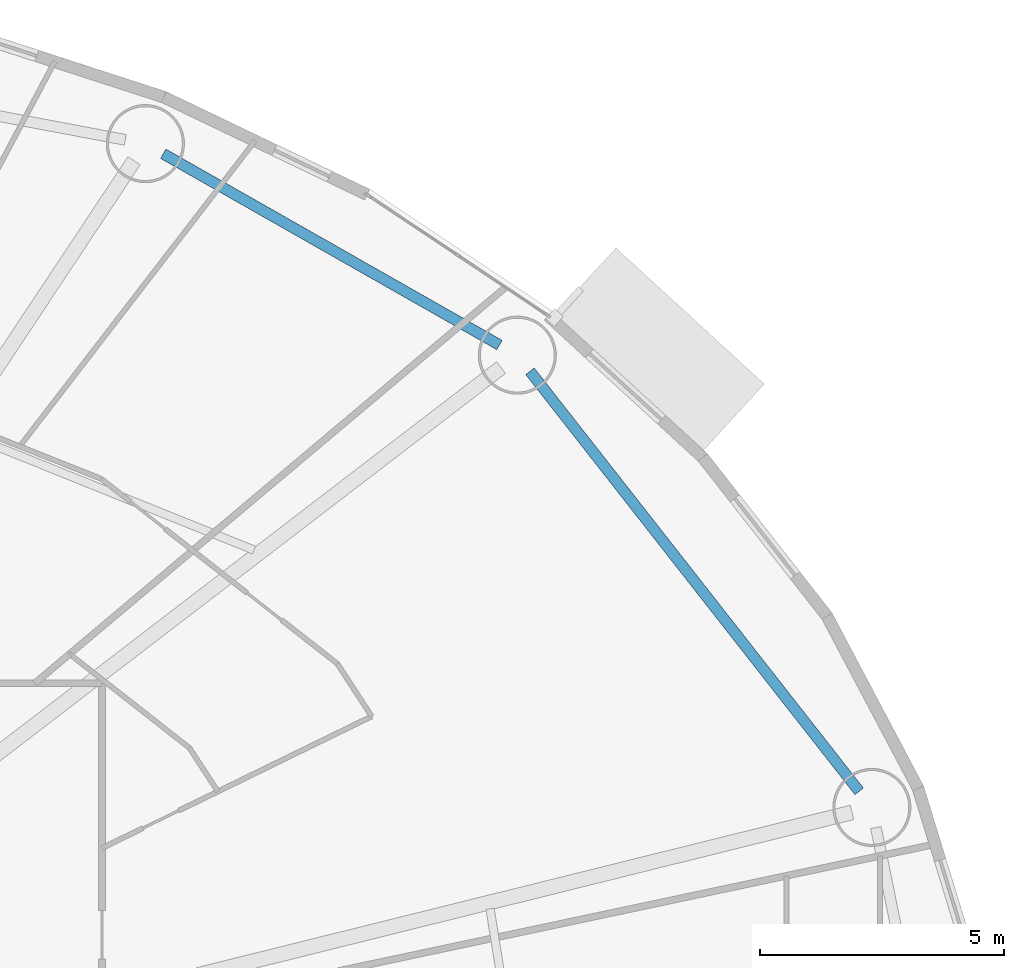
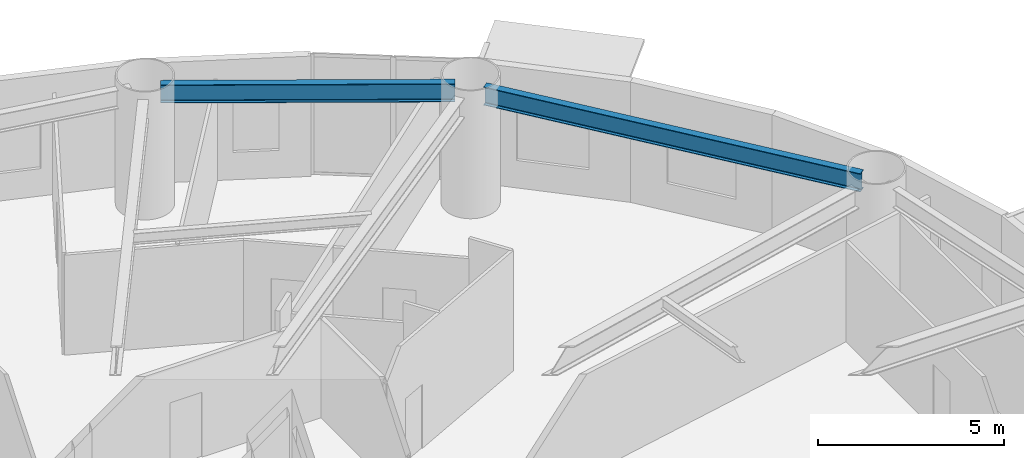
# One storey, part 4 of 20: 2 beams.
"""IFC4 building model written with IfcOpenShell, lengths in metres."""

from ifc_helpers import new_model, si_unit, direction, frame, origin, origin_2d, place, context, subcontext, project, spatial, i_section, extrude, material, material_profile, profile_set, type_object, element, save


model = new_model("IFC4")

# Units and contexts
model_context = context("Model", 3, precision=1e-05, world=origin(), true_north=direction((0.0, 1.0)))
body_context = subcontext(model_context, "Body", "Model", "MODEL_VIEW")
ifc_project = project(units=[si_unit("LENGTHUNIT", "METRE"), si_unit("AREAUNIT", "SQUARE_METRE"), si_unit("VOLUMEUNIT", "CUBIC_METRE"), si_unit("PLANEANGLEUNIT", "RADIAN"), si_unit("MASSUNIT", "GRAM", prefix="KILO")], contexts=[model_context])

# Site, building, storey
site_placement = place(None, origin())
site = spatial("IfcSite", under=ifc_project, at=site_placement, CompositionType="ELEMENT")
building_placement = place(site_placement, origin())
building = spatial("IfcBuilding", under=site, at=building_placement, Name="Linh Dai School and Residence Tower", CompositionType="ELEMENT")
storey_placement = place(building_placement, frame((0.0, 0.0, 66.0)))
storey = spatial("IfcBuildingStorey", under=building, at=storey_placement, Name="L15", CompositionType="ELEMENT", Elevation=66.0)

# Beams
ifc_material = material(Name="Structural Steel S355JR", Category="steel")
ifc_material_profile = material_profile(ifc_material, i_section(OverallWidth=0.219970703125, OverallDepth=0.60009765625, WebThickness=0.011962890625, FlangeThickness=0.01904296875, FilletRadius=0.02392578125, at=origin_2d()), Name="IPE 600")
ifc_profile_set = profile_set([ifc_material_profile], Name="Structural Steel S355JR")
beam_type = type_object("IfcBeamType", Name="BM-RB60", PredefinedType="BEAM", material=ifc_profile_set)
beam_1_placement = place(storey_placement, frame((64.351806640625, 34.439208984375, 3.64990234375), z_axis=(-0.616878670407, 0.787058260866, 0.0), x_axis=(-0.787058260866, -0.616878670407, 0.0)))
element("IfcBeam", 1, at=beam_1_placement, inside=storey, type_object=beam_type, Name="L15 Perimeter Elliptical Ring Beam 02", PredefinedType="BEAM", context=body_context, shape_type="SweptSolid", body=[
    extrude(i_section(OverallWidth=0.219970703125, OverallDepth=0.60009765625, WebThickness=0.011962890625, FlangeThickness=0.01904296875, FilletRadius=0.02392578125, at=origin_2d()), origin(), (0.0, 0.0, 1.0), 10.926025390625),
])
beam_2_placement = place(storey_placement, frame((56.987548828125, 43.57666015625, 3.64990234375), z_axis=(-0.869271416992, 0.494335112653, 0.0), x_axis=(-0.494335112653, -0.869271416992, 0.0)))
element("IfcBeam", 2, at=beam_2_placement, inside=storey, type_object=beam_type, Name="L15 Perimeter Elliptical Ring Beam 03", PredefinedType="BEAM", context=body_context, shape_type="SweptSolid", body=[
    extrude(i_section(OverallWidth=0.219970703125, OverallDepth=0.60009765625, WebThickness=0.011962890625, FlangeThickness=0.01904296875, FilletRadius=0.02392578125, at=origin_2d()), origin(), (0.0, 0.0, 1.0), 7.91943359375),
])

save(model, "model.ifc")
